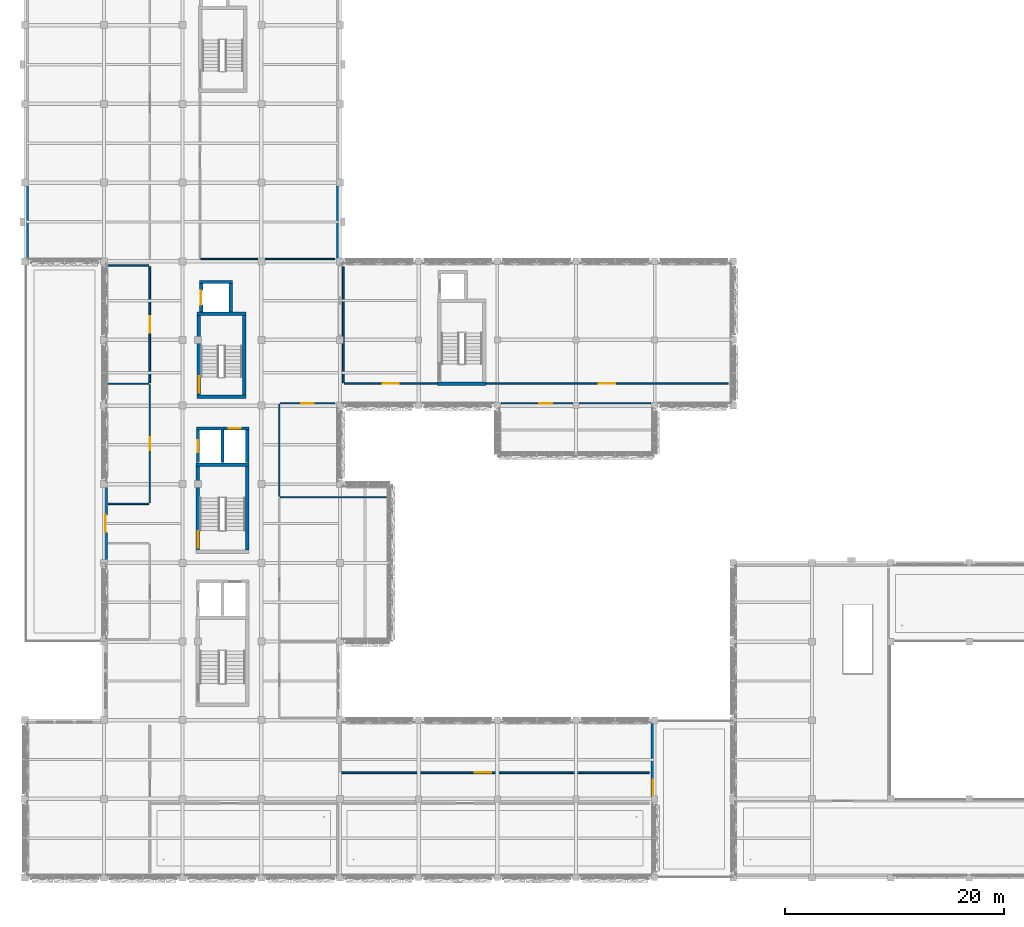
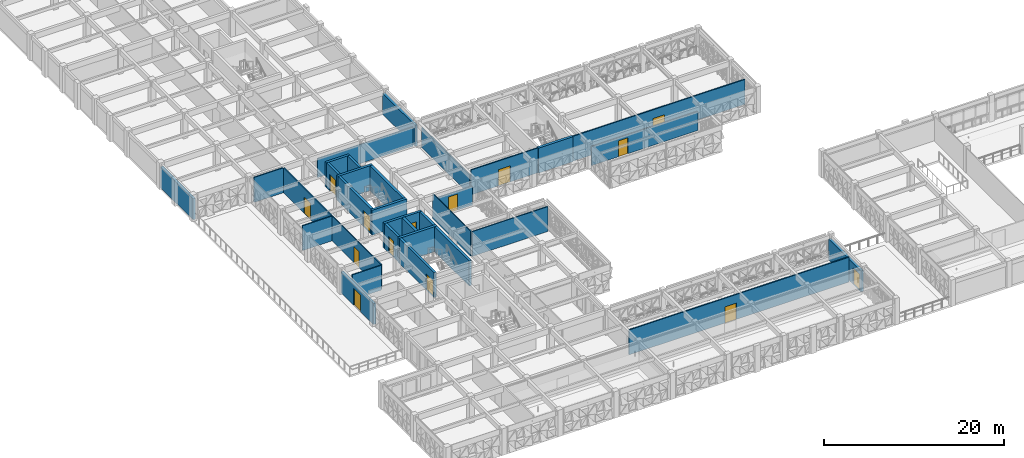
# One storey, part 45 of 85: 34 walls, 14 doors, 14 openings.
"""IFC4 building model written with IfcOpenShell, lengths in metres."""

from ifc_helpers import new_model, si_unit, direction, frame, frame_2d, origin, place, context, subcontext, project, spatial, rectangle, extrude, material, layer, layer_set, type_object, element, fill, save


model = new_model("IFC4")

# Units and contexts
model_context = context("Model", 3, precision=1e-05, world=origin(), true_north=direction((0.0, 1.0)))
body_context = subcontext(model_context, "Body", "Model", "MODEL_VIEW")
ifc_project = project(units=[si_unit("LENGTHUNIT", "METRE"), si_unit("AREAUNIT", "SQUARE_METRE"), si_unit("VOLUMEUNIT", "CUBIC_METRE"), si_unit("PLANEANGLEUNIT", "RADIAN"), si_unit("MASSUNIT", "GRAM", prefix="KILO")], contexts=[model_context])

# Site, building, storey
site_placement = place(None, origin())
site = spatial("IfcSite", under=ifc_project, at=site_placement, CompositionType="ELEMENT")
building_placement = place(site_placement, origin())
building = spatial("IfcBuilding", under=site, at=building_placement, Name="Alvorim Cloister Faculty of Sciences", CompositionType="ELEMENT")
storey_placement = place(building_placement, frame((0.0, 0.0, 8.550048828125)))
storey = spatial("IfcBuildingStorey", under=building, at=storey_placement, Name="L02", CompositionType="ELEMENT", Elevation=8.550048828125)

# Wall, opening, door
ifc_material_1 = material(Name="Precast Concrete C40", Category="concrete")
ifc_layer_1 = layer(ifc_material_1, 0.320068359375)
ifc_layer_set_1 = layer_set([ifc_layer_1], Name="Precast Concrete C40")
wall_type_1 = type_object("IfcWallType", Name="WL-EXT-PC-320", PredefinedType="SOLIDWALL", material=ifc_layer_set_1)
wall_1_placement = place(storey_placement, frame((7.360107421875, 28.800048828125, 0.0), z_axis=(0.0, 0.0, 1.0), x_axis=(0.0, 1.0, 0.0)))
wall_1 = element("IfcWall", 1, at=wall_1_placement, inside=storey, type_object=wall_type_1, Name="L02 Exterior Wall WL-0156", PredefinedType="SOLIDWALL", context=body_context, shape_type="SweptSolid", body=[
    extrude(rectangle(XDim=7.199951171875, YDim=0.320068359375, at=frame_2d((3.60009765625, 0.0))), origin(), (0.0, 0.0, 1.0), 2.83984375),
])
opening_1_placement = place(wall_1_placement, frame((2.800048828125, 0.0, 0.0)))
opening_1 = element("IfcOpeningElement", 2, at=opening_1_placement, cuts=wall_1, Name="Opening TD-01", PredefinedType="OPENING", context=body_context, shape_type="SweptSolid", body=[
    extrude(rectangle(XDim=1.60009765625, YDim=2.25, at=frame_2d((0.800048828125, 1.125))), frame((0.0, 0.171875, 0.0), z_axis=(0.0, -1.0, 0.0), x_axis=(1.0, 0.0, 0.0)), (0.0, 0.0, 1.0), 0.343994140625),
])
ifc_material_2 = material(Name="Aluminium Alloy 6063-T6", Category="aluminium")
door_type_1 = type_object("IfcDoorType", Name="DR-TER-1600x2250", OperationType="NOTDEFINED", PredefinedType="DOOR", material=ifc_material_2)
door_1_placement = place(opening_1_placement, origin())
door_1 = element("IfcDoor", 3, at=door_1_placement, inside=storey, type_object=door_type_1, Name="L02 West Colonnade Stepped Roof Terrace Access Door TD-01", OperationType="DOUBLE_DOOR_SINGLE_SWING", OverallHeight=2.25, OverallWidth=1.60009765625, PredefinedType="DOOR", context=body_context, shape_type="SweptSolid", body=[
    extrude(rectangle(XDim=1.60009765625, YDim=2.25, at=frame_2d((0.800048828125, 1.125))), frame((0.0, 0.02490234375, 0.0), z_axis=(0.0, -1.0, 0.0), x_axis=(1.0, 0.0, 0.0)), (0.0, 0.0, 1.0), 0.050048828125),
])
fill(opening_1, door_1)

# Walls
for number, where, z_axis, x_axis, name in (
    (4, (0.159912109375, 56.39990234375, 0.0), (0.0, 0.0, 1.0), (0.0, 1.0, 0.0), "L02 Exterior Wall WL-0157"),
    (5, (28.639892578125, 56.39990234375, 0.0), (0.0, 0.0, 1.0), (0.0, 1.0, 0.0), "L02 Exterior Wall WL-0176"),
):
    element("IfcWall", number, at=place(storey_placement, frame(where, z_axis=z_axis, x_axis=x_axis)), inside=storey, type_object=wall_type_1, Name=name, PredefinedType="SOLIDWALL", context=body_context, shape_type="SweptSolid", body=[
        extrude(rectangle(XDim=7.2001953125, YDim=0.320068359375, at=frame_2d((3.60009765625, 0.0))), origin(), (0.0, 0.0, 1.0), 2.83984375),
    ])

# Wall, opening, door
wall_2_placement = place(storey_placement, frame((57.43994140625, 7.199951171875, 0.0), z_axis=(0.0, 0.0, 1.0), x_axis=(0.0, 1.0, 0.0)))
wall_2 = element("IfcWall", 6, at=wall_2_placement, inside=storey, type_object=wall_type_1, Name="L02 Exterior Wall WL-0178", PredefinedType="SOLIDWALL", context=body_context, shape_type="SweptSolid", body=[
    extrude(rectangle(XDim=7.199951171875, YDim=0.320068359375, at=frame_2d((3.60009765625, 0.0))), origin(), (0.0, 0.0, 1.0), 2.83984375),
])
opening_2_placement = place(wall_2_placement, frame((0.35009765625, 0.0, 0.0)))
opening_2 = element("IfcOpeningElement", 7, at=opening_2_placement, cuts=wall_2, Name="Opening TD-02", PredefinedType="OPENING", context=body_context, shape_type="SweptSolid", body=[
    extrude(rectangle(XDim=1.39990234375, YDim=2.199951171875, at=frame_2d((0.699951171875, 1.10009765625))), frame((0.0, 0.171875, 0.0), z_axis=(0.0, -1.0, 0.0), x_axis=(1.0, 0.0, 0.0)), (0.0, 0.0, 1.0), 0.343994140625),
])
door_type_2 = type_object("IfcDoorType", Name="DR-TER-1400x2200", OperationType="NOTDEFINED", PredefinedType="DOOR", material=ifc_material_2)
door_2_placement = place(opening_2_placement, origin())
door_2 = element("IfcDoor", 8, at=door_2_placement, inside=storey, type_object=door_type_2, Name="L02 Public Passage Overlook Terrace Access Door TD-02", OperationType="DOUBLE_DOOR_SINGLE_SWING", OverallHeight=2.199951171875, OverallWidth=1.39990234375, PredefinedType="DOOR", context=body_context, shape_type="SweptSolid", body=[
    extrude(rectangle(XDim=1.39990234375, YDim=2.199951171875, at=frame_2d((0.699951171875, 1.10009765625))), frame((0.0, 0.02490234375, 0.0), z_axis=(0.0, -1.0, 0.0), x_axis=(1.0, 0.0, 0.0)), (0.0, 0.0, 1.0), 0.050048828125),
])
fill(opening_2, door_2)

# Wall
ifc_material_3 = material(Name="Acoustic Gypsum Stud Partition", Category="gypsum")
ifc_layer_2 = layer(ifc_material_3, 0.1201171875)
ifc_layer_set_2 = layer_set([ifc_layer_2], Name="Acoustic Gypsum Stud Partition")
wall_type_2 = type_object("IfcWallType", Name="WL-PRT-120", PredefinedType="PARTITIONING", material=ifc_layer_set_2)
wall_3_placement = place(storey_placement, frame((7.580078125, 34.199951171875, 0.0), z_axis=(0.0, 0.0, 1.0), x_axis=(1.0, 0.0, 0.0)))
element("IfcWall", 9, at=wall_3_placement, inside=storey, type_object=wall_type_2, Name="L02 Molecular Simulation Computing Lab Partition IWL-0548", PredefinedType="PARTITIONING", context=body_context, shape_type="SweptSolid", body=[
    extrude(rectangle(XDim=3.739990234375, YDim=0.1201171875, at=frame_2d((1.8701171875, 0.0))), origin(), (0.0, 0.0, 1.0), 3.375),
])

# Wall, opening, door
wall_4_placement = place(storey_placement, frame((11.39990234375, 34.280029296875, 0.0), z_axis=(0.0, 0.0, 1.0), x_axis=(0.0, 1.0, 0.0)))
wall_4 = element("IfcWall", 10, at=wall_4_placement, inside=storey, type_object=wall_type_2, Name="L02 Molecular Simulation Computing Lab Partition IWL-0549", PredefinedType="PARTITIONING", context=body_context, shape_type="SweptSolid", body=[
    extrude(rectangle(XDim=10.840087890625, YDim=0.1201171875, at=frame_2d((5.419921875, 0.0))), origin(), (0.0, 0.0, 1.0), 3.375),
])
opening_3_placement = place(wall_4_placement, frame((4.820068359375, 0.0, 0.0)))
opening_3 = element("IfcOpeningElement", 11, at=opening_3_placement, cuts=wall_4, Name="Opening D-L02-126", PredefinedType="OPENING", context=body_context, shape_type="SweptSolid", body=[
    extrude(rectangle(XDim=1.199951171875, YDim=2.14990234375, at=frame_2d((0.60009765625, 1.074951171875))), frame((0.0, 0.072021484375, 0.0), z_axis=(0.0, -1.0, 0.0), x_axis=(1.0, 0.0, 0.0)), (0.0, 0.0, 1.0), 0.14404296875),
])
ifc_material_4 = material(Name="Solid Acoustic Oak Timber", Category="wood")
door_type_3 = type_object("IfcDoorType", Name="DR-SEM-1200x2150", OperationType="NOTDEFINED", PredefinedType="DOOR", material=ifc_material_4)
door_3_placement = place(opening_3_placement, origin())
door_3 = element("IfcDoor", 12, at=door_3_placement, inside=storey, type_object=door_type_3, Name="Molecular Simulation Computing Lab Door D-L02-126", OperationType="SINGLE_SWING_LEFT", OverallHeight=2.14990234375, OverallWidth=1.199951171875, PredefinedType="DOOR", context=body_context, shape_type="SweptSolid", body=[
    extrude(rectangle(XDim=1.199951171875, YDim=2.14990234375, at=frame_2d((0.60009765625, 1.074951171875))), frame((0.0, 0.02490234375, 0.0), z_axis=(0.0, -1.0, 0.0), x_axis=(1.0, 0.0, 0.0)), (0.0, 0.0, 1.0), 0.050048828125),
])
fill(opening_3, door_3)

# Walls
wall_5_placement = place(storey_placement, frame((7.580078125, 45.199951171875, 0.0), z_axis=(0.0, 0.0, 1.0), x_axis=(1.0, 0.0, 0.0)))
element("IfcWall", 13, at=wall_5_placement, inside=storey, type_object=wall_type_2, Name="L02 Molecular Simulation Computing Lab Partition IWL-0550", PredefinedType="PARTITIONING", context=body_context, shape_type="SweptSolid", body=[
    extrude(rectangle(XDim=3.739990234375, YDim=0.1201171875, at=frame_2d((1.8701171875, 0.0))), origin(), (0.0, 0.0, 1.0), 3.375),
])
wall_6_placement = place(storey_placement, frame((23.330078125, 34.800048828125, 0.0), z_axis=(0.0, 0.0, 1.0), x_axis=(1.0, 0.0, 0.0)))
element("IfcWall", 14, at=wall_6_placement, inside=storey, type_object=wall_type_2, Name="L02 Cantilevered Cloister Overlook Salon Partition IWL-0557", PredefinedType="PARTITIONING", context=body_context, shape_type="SweptSolid", body=[
    extrude(rectangle(XDim=9.68994140625, YDim=0.1201171875, at=frame_2d((4.844970703125, 0.0))), origin(), (0.0, 0.0, 1.0), 3.375),
])
wall_7_placement = place(storey_placement, frame((23.25, 34.8798828125, 0.0), z_axis=(0.0, 0.0, 1.0), x_axis=(0.0, 1.0, 0.0)))
element("IfcWall", 15, at=wall_7_placement, inside=storey, type_object=wall_type_2, Name="L02 Chemistry Faculty Offices Partition IWL-0558", PredefinedType="PARTITIONING", context=body_context, shape_type="SweptSolid", body=[
    extrude(rectangle(XDim=8.440185546875, YDim=0.1201171875, at=frame_2d((4.22021484375, 0.0))), origin(), (0.0, 0.0, 1.0), 3.375),
])

# Wall, opening, door
wall_8_placement = place(storey_placement, frame((23.330078125, 43.39990234375, 0.0), z_axis=(0.0, 0.0, 1.0), x_axis=(1.0, 0.0, 0.0)))
wall_8 = element("IfcWall", 16, at=wall_8_placement, inside=storey, type_object=wall_type_2, Name="L02 Chemistry Faculty Offices Partition IWL-0559", PredefinedType="PARTITIONING", context=body_context, shape_type="SweptSolid", body=[
    extrude(rectangle(XDim=4.989990234375, YDim=0.1201171875, at=frame_2d((2.4951171875, 0.0))), origin(), (0.0, 0.0, 1.0), 2.594970703125),
])
opening_4_placement = place(wall_8_placement, frame((1.919921875, 0.0, 0.0)))
opening_4 = element("IfcOpeningElement", 17, at=opening_4_placement, cuts=wall_8, Name="Opening D-L02-130", PredefinedType="OPENING", context=body_context, shape_type="SweptSolid", body=[
    extrude(rectangle(XDim=1.14990234375, YDim=2.179931640625, at=frame_2d((0.574951171875, 1.08984375))), frame((0.0, 0.072021484375, 0.0), z_axis=(0.0, -1.0, 0.0), x_axis=(1.0, 0.0, 0.0)), (0.0, 0.0, 1.0), 0.14404296875),
])
door_type_4 = type_object("IfcDoorType", Name="DR-OFF-1150x2180", OperationType="NOTDEFINED", PredefinedType="DOOR", material=ifc_material_4)
door_4_placement = place(opening_4_placement, origin())
door_4 = element("IfcDoor", 18, at=door_4_placement, inside=storey, type_object=door_type_4, Name="Chemistry Faculty Offices Door D-L02-130", OperationType="SINGLE_SWING_RIGHT", OverallHeight=2.179931640625, OverallWidth=1.14990234375, PredefinedType="DOOR", context=body_context, shape_type="SweptSolid", body=[
    extrude(rectangle(XDim=1.14990234375, YDim=2.179931640625, at=frame_2d((0.574951171875, 1.08984375))), frame((0.0, 0.02490234375, 0.0), z_axis=(0.0, -1.0, 0.0), x_axis=(1.0, 0.0, 0.0)), (0.0, 0.0, 1.0), 0.050048828125),
])
fill(opening_4, door_4)

wall_9_placement = place(storey_placement, frame((43.580078125, 43.39990234375, 0.0), z_axis=(0.0, 0.0, 1.0), x_axis=(1.0, 0.0, 0.0)))
wall_9 = element("IfcWall", 19, at=wall_9_placement, inside=storey, type_object=wall_type_2, Name="L02 Cantilevered Cloister Research Gallery Partition IWL-0563", PredefinedType="PARTITIONING", context=body_context, shape_type="SweptSolid", body=[
    extrude(rectangle(XDim=13.639892578125, YDim=0.1201171875, at=frame_2d((6.81982421875, 0.0))), origin(), (0.0, 0.0, 1.0), 2.594970703125),
])
opening_5_placement = place(wall_9_placement, frame((3.469970703125, 0.0, 0.0)))
opening_5 = element("IfcOpeningElement", 20, at=opening_5_placement, cuts=wall_9, Name="Opening D-L02-133", PredefinedType="OPENING", context=body_context, shape_type="SweptSolid", body=[
    extrude(rectangle(XDim=1.199951171875, YDim=2.14990234375, at=frame_2d((0.60009765625, 1.074951171875))), frame((0.0, 0.072021484375, 0.0), z_axis=(0.0, -1.0, 0.0), x_axis=(1.0, 0.0, 0.0)), (0.0, 0.0, 1.0), 0.14404296875),
])
door_5_placement = place(opening_5_placement, origin())
door_5 = element("IfcDoor", 21, at=door_5_placement, inside=storey, type_object=door_type_3, Name="Cantilevered Cloister Research Gallery Door D-L02-133", OperationType="SINGLE_SWING_LEFT", OverallHeight=2.14990234375, OverallWidth=1.199951171875, PredefinedType="DOOR", context=body_context, shape_type="SweptSolid", body=[
    extrude(rectangle(XDim=1.199951171875, YDim=2.14990234375, at=frame_2d((0.60009765625, 1.074951171875))), frame((0.0, 0.02490234375, 0.0), z_axis=(0.0, -1.0, 0.0), x_axis=(1.0, 0.0, 0.0)), (0.0, 0.0, 1.0), 0.050048828125),
])
fill(opening_5, door_5)

# Wall
wall_10_placement = place(storey_placement, frame((16.080078125, 56.60009765625, 0.0), z_axis=(0.0, 0.0, 1.0), x_axis=(1.0, 0.0, 0.0)))
element("IfcWall", 22, at=wall_10_placement, inside=storey, type_object=wall_type_2, Name="L02 Data Visualization Lab Partition IWL-0568", PredefinedType="PARTITIONING", context=body_context, shape_type="SweptSolid", body=[
    extrude(rectangle(XDim=12.239990234375, YDim=0.1201171875, at=frame_2d((6.1201171875, 0.0))), origin(), (0.0, 0.0, 1.0), 2.594970703125),
])

# Wall, opening, door
ifc_material_5 = material(Name="Gypsum Fireboard Stud Partition", Category="gypsum")
ifc_layer_3 = layer(ifc_material_5, 0.14990234375)
ifc_layer_set_3 = layer_set([ifc_layer_3], Name="Gypsum Fireboard Stud Partition")
wall_type_3 = type_object("IfcWallType", Name="WL-PRT-150", PredefinedType="PARTITIONING", material=ifc_layer_set_3)
wall_11_placement = place(storey_placement, frame((28.8798828125, 9.60009765625, 0.0), z_axis=(0.0, 0.0, 1.0), x_axis=(1.0, 0.0, 0.0)))
wall_11 = element("IfcWall", 23, at=wall_11_placement, inside=storey, type_object=wall_type_3, Name="L02 Physical Chemistry Teaching Lab Partition IWL-0544", PredefinedType="PARTITIONING", context=body_context, shape_type="SweptSolid", body=[
    extrude(rectangle(XDim=28.240234375, YDim=0.14990234375, at=frame_2d((14.1201171875, 0.0))), origin(), (0.0, 0.0, 1.0), 3.375),
])
opening_6_placement = place(wall_11_placement, frame((12.274169921875, 0.0, 0.0)))
opening_6 = element("IfcOpeningElement", 24, at=opening_6_placement, cuts=wall_11, Name="Opening D-L02-124", PredefinedType="OPENING", context=body_context, shape_type="SweptSolid", body=[
    extrude(rectangle(XDim=1.5, YDim=2.199951171875, at=frame_2d((0.75, 1.10009765625))), frame((0.0, 0.0869140625, 0.0), z_axis=(0.0, -1.0, 0.0), x_axis=(1.0, 0.0, 0.0)), (0.0, 0.0, 1.0), 0.173828125),
])
ifc_material_6 = material(Name="Fire-Rated Laminate Timber", Category="wood")
door_type_5 = type_object("IfcDoorType", Name="DR-LAB-1500x2200", OperationType="NOTDEFINED", PredefinedType="DOOR", material=ifc_material_6)
door_6_placement = place(opening_6_placement, origin())
door_6 = element("IfcDoor", 25, at=door_6_placement, inside=storey, type_object=door_type_5, Name="Physical Chemistry Teaching Lab Door D-L02-124", OperationType="DOUBLE_DOOR_SINGLE_SWING", OverallHeight=2.199951171875, OverallWidth=1.5, PredefinedType="DOOR", context=body_context, shape_type="SweptSolid", body=[
    extrude(rectangle(XDim=1.5, YDim=2.199951171875, at=frame_2d((0.75, 1.10009765625))), frame((0.0, 0.02490234375, 0.0), z_axis=(0.0, -1.0, 0.0), x_axis=(1.0, 0.0, 0.0)), (0.0, 0.0, 1.0), 0.050048828125),
])
fill(opening_6, door_6)

wall_12_placement = place(storey_placement, frame((11.39990234375, 45.280029296875, 0.0), z_axis=(0.0, 0.0, 1.0), x_axis=(0.0, 1.0, 0.0)))
wall_12 = element("IfcWall", 26, at=wall_12_placement, inside=storey, type_object=wall_type_3, Name="L02 Electrochemistry Research Lab Partition IWL-0551", PredefinedType="PARTITIONING", context=body_context, shape_type="SweptSolid", body=[
    extrude(rectangle(XDim=10.639892578125, YDim=0.14990234375, at=frame_2d((5.31982421875, 0.0))), origin(), (0.0, 0.0, 1.0), 3.375),
])
opening_7_placement = place(wall_12_placement, frame((4.570068359375, 0.0, 0.0)))
opening_7 = element("IfcOpeningElement", 27, at=opening_7_placement, cuts=wall_12, Name="Opening D-L02-127", PredefinedType="OPENING", context=body_context, shape_type="SweptSolid", body=[
    extrude(rectangle(XDim=1.5, YDim=2.199951171875, at=frame_2d((0.75, 1.10009765625))), frame((0.0, 0.0869140625, 0.0), z_axis=(0.0, -1.0, 0.0), x_axis=(1.0, 0.0, 0.0)), (0.0, 0.0, 1.0), 0.173828125),
])
door_7_placement = place(opening_7_placement, origin())
door_7 = element("IfcDoor", 28, at=door_7_placement, inside=storey, type_object=door_type_5, Name="Electrochemistry Research Lab Door D-L02-127", OperationType="DOUBLE_DOOR_SINGLE_SWING", OverallHeight=2.199951171875, OverallWidth=1.5, PredefinedType="DOOR", context=body_context, shape_type="SweptSolid", body=[
    extrude(rectangle(XDim=1.5, YDim=2.199951171875, at=frame_2d((0.75, 1.10009765625))), frame((0.0, 0.02490234375, 0.0), z_axis=(0.0, -1.0, 0.0), x_axis=(1.0, 0.0, 0.0)), (0.0, 0.0, 1.0), 0.050048828125),
])
fill(opening_7, door_7)

# Walls
wall_13_placement = place(storey_placement, frame((7.580078125, 56.0, 0.0), z_axis=(0.0, 0.0, 1.0), x_axis=(1.0, 0.0, 0.0)))
element("IfcWall", 29, at=wall_13_placement, inside=storey, type_object=wall_type_3, Name="L02 Electrochemistry Research Lab Partition IWL-0552", PredefinedType="PARTITIONING", context=body_context, shape_type="SweptSolid", body=[
    extrude(rectangle(XDim=3.739990234375, YDim=0.14990234375, at=frame_2d((1.8701171875, 0.0))), origin(), (0.0, 0.0, 1.0), 3.375),
])
wall_14_placement = place(storey_placement, frame((29.10009765625, 45.280029296875, 0.0), z_axis=(0.0, 0.0, 1.0), x_axis=(0.0, 1.0, 0.0)))
element("IfcWall", 30, at=wall_14_placement, inside=storey, type_object=wall_type_3, Name="L02 Microbiology BSL-2 Laboratory Partition IWL-0560", PredefinedType="PARTITIONING", context=body_context, shape_type="SweptSolid", body=[
    extrude(rectangle(XDim=10.639892578125, YDim=0.14990234375, at=frame_2d((5.31982421875, 0.0))), origin(), (0.0, 0.0, 1.0), 2.655029296875),
])

# Wall, opening, door
wall_15_placement = place(storey_placement, frame((29.179931640625, 45.199951171875, 0.0), z_axis=(0.0, 0.0, 1.0), x_axis=(1.0, 0.0, 0.0)))
wall_15 = element("IfcWall", 31, at=wall_15_placement, inside=storey, type_object=wall_type_3, Name="L02 Microbiology BSL-2 Laboratory Partition IWL-0561", PredefinedType="PARTITIONING", context=body_context, shape_type="SweptSolid", body=[
    extrude(rectangle(XDim=8.5400390625, YDim=0.14990234375, at=frame_2d((4.27001953125, 0.0))), origin(), (0.0, 0.0, 1.0), 3.375),
])
opening_8_placement = place(wall_15_placement, frame((3.52001953125, 0.0, 0.0)))
opening_8 = element("IfcOpeningElement", 32, at=opening_8_placement, cuts=wall_15, Name="Opening D-L02-131", PredefinedType="OPENING", context=body_context, shape_type="SweptSolid", body=[
    extrude(rectangle(XDim=1.5, YDim=2.199951171875, at=frame_2d((0.75, 1.10009765625))), frame((0.0, 0.0869140625, 0.0), z_axis=(0.0, -1.0, 0.0), x_axis=(1.0, 0.0, 0.0)), (0.0, 0.0, 1.0), 0.173828125),
])
door_8_placement = place(opening_8_placement, origin())
door_8 = element("IfcDoor", 33, at=door_8_placement, inside=storey, type_object=door_type_5, Name="Microbiology BSL-2 Laboratory Door D-L02-131", OperationType="DOUBLE_DOOR_SINGLE_SWING", OverallHeight=2.199951171875, OverallWidth=1.5, PredefinedType="DOOR", context=body_context, shape_type="SweptSolid", body=[
    extrude(rectangle(XDim=1.5, YDim=2.199951171875, at=frame_2d((0.75, 1.10009765625))), frame((0.0, 0.02490234375, 0.0), z_axis=(0.0, -1.0, 0.0), x_axis=(1.0, 0.0, 0.0)), (0.0, 0.0, 1.0), 0.050048828125),
])
fill(opening_8, door_8)

wall_16_placement = place(storey_placement, frame((42.179931640625, 45.199951171875, 0.0), z_axis=(0.0, 0.0, 1.0), x_axis=(1.0, 0.0, 0.0)))
wall_16 = element("IfcWall", 34, at=wall_16_placement, inside=storey, type_object=wall_type_3, Name="L02 Cell Culture and Imaging Laboratory Partition IWL-0562", PredefinedType="PARTITIONING", context=body_context, shape_type="SweptSolid", body=[
    extrude(rectangle(XDim=22.14013671875, YDim=0.14990234375, at=frame_2d((11.070068359375, 0.0))), origin(), (0.0, 0.0, 1.0), 3.375),
])
opening_9_placement = place(wall_16_placement, frame((10.320068359375, 0.0, 0.0)))
opening_9 = element("IfcOpeningElement", 35, at=opening_9_placement, cuts=wall_16, Name="Opening D-L02-132", PredefinedType="OPENING", context=body_context, shape_type="SweptSolid", body=[
    extrude(rectangle(XDim=1.5, YDim=2.199951171875, at=frame_2d((0.75, 1.10009765625))), frame((0.0, 0.0869140625, 0.0), z_axis=(0.0, -1.0, 0.0), x_axis=(1.0, 0.0, 0.0)), (0.0, 0.0, 1.0), 0.173828125),
])
door_9_placement = place(opening_9_placement, origin())
door_9 = element("IfcDoor", 36, at=door_9_placement, inside=storey, type_object=door_type_5, Name="Cell Culture and Imaging Laboratory Door D-L02-132", OperationType="DOUBLE_DOOR_SINGLE_SWING", OverallHeight=2.199951171875, OverallWidth=1.5, PredefinedType="DOOR", context=body_context, shape_type="SweptSolid", body=[
    extrude(rectangle(XDim=1.5, YDim=2.199951171875, at=frame_2d((0.75, 1.10009765625))), frame((0.0, 0.02490234375, 0.0), z_axis=(0.0, -1.0, 0.0), x_axis=(1.0, 0.0, 0.0)), (0.0, 0.0, 1.0), 0.050048828125),
])
fill(opening_9, door_9)

# Wall
ifc_material_7 = material(Name="Concrete C40", Category="concrete")
ifc_layer_4 = layer(ifc_material_7, 0.300048828125)
ifc_layer_set_4 = layer_set([ifc_layer_4], Name="Concrete C40")
wall_type_4 = type_object("IfcWallType", Name="WL-SHR-300", PredefinedType="SHEAR", material=ifc_layer_set_4)
wall_17_placement = place(storey_placement, frame((15.64990234375, 41.10009765625, 0.0), z_axis=(0.0, 0.0, 1.0), x_axis=(1.0, 0.0, 0.0)))
element("IfcWall", 37, at=wall_17_placement, inside=storey, type_object=wall_type_4, Name="L02 Lift LP-02 Shaft Wall IWL-0297", PredefinedType="SHEAR", context=body_context, shape_type="SweptSolid", body=[
    extrude(rectangle(XDim=2.56005859375, YDim=0.300048828125, at=frame_2d((1.280029296875, 0.0))), origin(), (0.0, 0.0, 1.0), 3.389892578125),
])

# Wall, opening, door
wall_18_placement = place(storey_placement, frame((15.800048828125, 37.97998046875, 0.0), z_axis=(0.0, 0.0, 1.0), x_axis=(0.0, 1.0, 0.0)))
wall_18 = element("IfcWall", 38, at=wall_18_placement, inside=storey, type_object=wall_type_4, Name="L02 Lift LP-02 Shaft Wall IWL-0298", PredefinedType="SHEAR", context=body_context, shape_type="SweptSolid", body=[
    extrude(rectangle(XDim=2.969970703125, YDim=0.300048828125, at=frame_2d((1.48486328125, 0.0))), origin(), (0.0, 0.0, 1.0), 3.389892578125),
])
opening_10_placement = place(wall_18_placement, frame((0.93505859375, 0.0, 0.0)))
opening_10 = element("IfcOpeningElement", 39, at=opening_10_placement, cuts=wall_18, Name="Opening LD-026", PredefinedType="OPENING", context=body_context, shape_type="SweptSolid", body=[
    extrude(rectangle(XDim=1.10009765625, YDim=2.199951171875, at=frame_2d((0.550048828125, 1.10009765625))), frame((0.0, 0.162109375, 0.0), z_axis=(0.0, -1.0, 0.0), x_axis=(1.0, 0.0, 0.0)), (0.0, 0.0, 1.0), 0.323974609375),
])
ifc_material_8 = material(Name="Brushed Stainless Steel", Category="steel")
door_type_6 = type_object("IfcDoorType", Name="DR-LFT-1100x2200", OperationType="NOTDEFINED", PredefinedType="DOOR", material=ifc_material_8)
door_10_placement = place(opening_10_placement, origin())
door_10 = element("IfcDoor", 40, at=door_10_placement, inside=storey, type_object=door_type_6, Name="L02 Lift LP-02 Sliding Landing Door LD-026", OperationType="DOUBLE_DOOR_SLIDING", OverallHeight=2.199951171875, OverallWidth=1.10009765625, PredefinedType="DOOR", context=body_context, shape_type="SweptSolid", body=[
    extrude(rectangle(XDim=1.10009765625, YDim=2.199951171875, at=frame_2d((0.550048828125, 1.10009765625))), frame((0.0, 0.02490234375, 0.0), z_axis=(0.0, -1.0, 0.0), x_axis=(1.0, 0.0, 0.0)), (0.0, 0.0, 1.0), 0.050048828125),
])
fill(opening_10, door_10)

# Wall
wall_19_placement = place(storey_placement, frame((18.06005859375, 37.97998046875, 0.0), z_axis=(0.0, 0.0, 1.0), x_axis=(0.0, 1.0, 0.0)))
element("IfcWall", 41, at=wall_19_placement, inside=storey, type_object=wall_type_4, Name="L02 Lift LP-02 Shaft Wall IWL-0299", PredefinedType="SHEAR", context=body_context, shape_type="SweptSolid", body=[
    extrude(rectangle(XDim=2.969970703125, YDim=0.300048828125, at=frame_2d((1.48486328125, 0.0))), origin(), (0.0, 0.0, 1.0), 3.389892578125),
])

# Wall, opening, door
wall_20_placement = place(storey_placement, frame((17.909912109375, 41.10009765625, 0.0), z_axis=(0.0, 0.0, 1.0), x_axis=(1.0, 0.0, 0.0)))
wall_20 = element("IfcWall", 42, at=wall_20_placement, inside=storey, type_object=wall_type_4, Name="L02 Lift LP-03 Shaft Wall IWL-0324", PredefinedType="SHEAR", context=body_context, shape_type="SweptSolid", body=[
    extrude(rectangle(XDim=2.56005859375, YDim=0.300048828125, at=frame_2d((1.280029296875, 0.0))), origin(), (0.0, 0.0, 1.0), 3.389892578125),
])
opening_11_placement = place(wall_20_placement, frame((0.72998046875, 0.0, 0.0)))
opening_11 = element("IfcOpeningElement", 43, at=opening_11_placement, cuts=wall_20, Name="Opening LD-036", PredefinedType="OPENING", context=body_context, shape_type="SweptSolid", body=[
    extrude(rectangle(XDim=1.10009765625, YDim=2.199951171875, at=frame_2d((0.550048828125, 1.10009765625))), frame((0.0, 0.162109375, 0.0), z_axis=(0.0, -1.0, 0.0), x_axis=(1.0, 0.0, 0.0)), (0.0, 0.0, 1.0), 0.323974609375),
])
door_11_placement = place(opening_11_placement, origin())
door_11 = element("IfcDoor", 44, at=door_11_placement, inside=storey, type_object=door_type_6, Name="L02 Lift LP-03 Sliding Landing Door LD-036", OperationType="DOUBLE_DOOR_SLIDING", OverallHeight=2.199951171875, OverallWidth=1.10009765625, PredefinedType="DOOR", context=body_context, shape_type="SweptSolid", body=[
    extrude(rectangle(XDim=1.10009765625, YDim=2.199951171875, at=frame_2d((0.550048828125, 1.10009765625))), frame((0.0, 0.02490234375, 0.0), z_axis=(0.0, -1.0, 0.0), x_axis=(1.0, 0.0, 0.0)), (0.0, 0.0, 1.0), 0.050048828125),
])
fill(opening_11, door_11)

# Walls
wall_21_placement = place(storey_placement, frame((20.320068359375, 37.97998046875, 0.0), z_axis=(0.0, 0.0, 1.0), x_axis=(0.0, 1.0, 0.0)))
element("IfcWall", 45, at=wall_21_placement, inside=storey, type_object=wall_type_4, Name="L02 Lift LP-03 Shaft Wall IWL-0325", PredefinedType="SHEAR", context=body_context, shape_type="SweptSolid", body=[
    extrude(rectangle(XDim=2.969970703125, YDim=0.300048828125, at=frame_2d((1.48486328125, 0.0))), origin(), (0.0, 0.0, 1.0), 3.389892578125),
])
wall_22_placement = place(storey_placement, frame((15.949951171875, 54.5, 0.0), z_axis=(0.0, 0.0, 1.0), x_axis=(1.0, 0.0, 0.0)))
element("IfcWall", 46, at=wall_22_placement, inside=storey, type_object=wall_type_4, Name="L02 Lift LG-01 Shaft Wall IWL-0389", PredefinedType="SHEAR", context=body_context, shape_type="SweptSolid", body=[
    extrude(rectangle(XDim=3.0, YDim=0.300048828125, at=frame_2d((1.5, 0.0))), origin(), (0.0, 0.0, 1.0), 3.389892578125),
])

# Wall, opening, door
wall_23_placement = place(storey_placement, frame((16.10009765625, 51.780029296875, 0.0), z_axis=(0.0, 0.0, 1.0), x_axis=(0.0, 1.0, 0.0)))
wall_23 = element("IfcWall", 47, at=wall_23_placement, inside=storey, type_object=wall_type_4, Name="L02 Lift LG-01 Shaft Wall IWL-0390", PredefinedType="SHEAR", context=body_context, shape_type="SweptSolid", body=[
    extrude(rectangle(XDim=2.570068359375, YDim=0.300048828125, at=frame_2d((1.28515625, 0.0))), origin(), (0.0, 0.0, 1.0), 3.389892578125),
])
opening_12_placement = place(wall_23_placement, frame((0.635009765625, 0.0, 0.0)))
opening_12 = element("IfcOpeningElement", 48, at=opening_12_placement, cuts=wall_23, Name="Opening LD-060", PredefinedType="OPENING", context=body_context, shape_type="SweptSolid", body=[
    extrude(rectangle(XDim=1.300048828125, YDim=2.25, at=frame_2d((0.64990234375, 1.125))), frame((0.0, 0.162109375, 0.0), z_axis=(0.0, -1.0, 0.0), x_axis=(1.0, 0.0, 0.0)), (0.0, 0.0, 1.0), 0.323974609375),
])
door_type_7 = type_object("IfcDoorType", Name="DR-LFT-1300x2250", OperationType="NOTDEFINED", PredefinedType="DOOR", material=ifc_material_8)
door_12_placement = place(opening_12_placement, origin())
door_12 = element("IfcDoor", 49, at=door_12_placement, inside=storey, type_object=door_type_7, Name="L02 Lift LG-01 Sliding Landing Door LD-060", OperationType="DOUBLE_DOOR_SLIDING", OverallHeight=2.25, OverallWidth=1.300048828125, PredefinedType="DOOR", context=body_context, shape_type="SweptSolid", body=[
    extrude(rectangle(XDim=1.300048828125, YDim=2.25, at=frame_2d((0.64990234375, 1.125))), frame((0.0, 0.02490234375, 0.0), z_axis=(0.0, -1.0, 0.0), x_axis=(1.0, 0.0, 0.0)), (0.0, 0.0, 1.0), 0.050048828125),
])
fill(opening_12, door_12)

# Walls
wall_24_placement = place(storey_placement, frame((18.800048828125, 51.780029296875, 0.0), z_axis=(0.0, 0.0, 1.0), x_axis=(0.0, 1.0, 0.0)))
element("IfcWall", 50, at=wall_24_placement, inside=storey, type_object=wall_type_4, Name="L02 Lift LG-01 Shaft Wall IWL-0391", PredefinedType="SHEAR", context=body_context, shape_type="SweptSolid", body=[
    extrude(rectangle(XDim=2.570068359375, YDim=0.300048828125, at=frame_2d((1.28515625, 0.0))), origin(), (0.0, 0.0, 1.0), 3.389892578125),
])
ifc_layer_5 = layer(ifc_material_7, 0.320068359375)
ifc_layer_set_5 = layer_set([ifc_layer_5], Name="Concrete C40")
wall_type_5 = type_object("IfcWallType", Name="WL-SHR-320", PredefinedType="SHEAR", material=ifc_layer_set_5)
wall_25_placement = place(storey_placement, frame((15.639892578125, 37.800048828125, 0.0), z_axis=(0.0, 0.0, 1.0), x_axis=(1.0, 0.0, 0.0)))
element("IfcWall", 51, at=wall_25_placement, inside=storey, type_object=wall_type_5, Name="L02 CORE K2 Shear Wall IWL-0058", PredefinedType="SHEAR", context=body_context, shape_type="SweptSolid", body=[
    extrude(rectangle(XDim=4.840087890625, YDim=0.320068359375, at=frame_2d((2.419921875, 0.0))), origin(), (0.0, 0.0, 1.0), 3.389892578125),
])

# Wall, opening, door
wall_26_placement = place(storey_placement, frame((15.800048828125, 29.9599609375, 0.0), z_axis=(0.0, 0.0, 1.0), x_axis=(0.0, 1.0, 0.0)))
wall_26 = element("IfcWall", 52, at=wall_26_placement, inside=storey, type_object=wall_type_5, Name="L02 CORE K2 Shear Wall IWL-0059", PredefinedType="SHEAR", context=body_context, shape_type="SweptSolid", body=[
    extrude(rectangle(XDim=7.679931640625, YDim=0.320068359375, at=frame_2d((3.83984375, 0.0))), origin(), (0.0, 0.0, 1.0), 3.389892578125),
])
opening_13_placement = place(wall_26_placement, frame((0.219970703125, 0.0, 0.0)))
opening_13 = element("IfcOpeningElement", 53, at=opening_13_placement, cuts=wall_26, Name="Opening SD-K2-L02", PredefinedType="OPENING", context=body_context, shape_type="SweptSolid", body=[
    extrude(rectangle(XDim=1.5, YDim=2.199951171875, at=frame_2d((0.75, 1.10009765625))), frame((0.0, 0.171875, 0.0), z_axis=(0.0, -1.0, 0.0), x_axis=(1.0, 0.0, 0.0)), (0.0, 0.0, 1.0), 0.343994140625),
])
ifc_material_9 = material(Name="Galvanised Fire-Rated Steel", Category="steel")
door_type_8 = type_object("IfcDoorType", Name="DR-STR-1500x2200", OperationType="NOTDEFINED", PredefinedType="DOOR", material=ifc_material_9)
door_13_placement = place(opening_13_placement, origin())
door_13 = element("IfcDoor", 54, at=door_13_placement, inside=storey, type_object=door_type_8, Name="L02 Stair ST-02 Fire Door SD-K2-L02", OperationType="DOUBLE_DOOR_SINGLE_SWING", OverallHeight=2.199951171875, OverallWidth=1.5, PredefinedType="DOOR", context=body_context, shape_type="SweptSolid", body=[
    extrude(rectangle(XDim=1.5, YDim=2.199951171875, at=frame_2d((0.75, 1.10009765625))), frame((0.0, 0.02490234375, 0.0), z_axis=(0.0, -1.0, 0.0), x_axis=(1.0, 0.0, 0.0)), (0.0, 0.0, 1.0), 0.050048828125),
])
fill(opening_13, door_13)

# Walls
wall_27_placement = place(storey_placement, frame((20.320068359375, 29.9599609375, 0.0), z_axis=(0.0, 0.0, 1.0), x_axis=(0.0, 1.0, 0.0)))
element("IfcWall", 55, at=wall_27_placement, inside=storey, type_object=wall_type_5, Name="L02 CORE K2 Shear Wall IWL-0060", PredefinedType="SHEAR", context=body_context, shape_type="SweptSolid", body=[
    extrude(rectangle(XDim=7.679931640625, YDim=0.320068359375, at=frame_2d((3.83984375, 0.0))), origin(), (0.0, 0.0, 1.0), 3.389892578125),
])
for number, where, z_axis, x_axis, name in (
    (56, (15.739990234375, 44.0, 0.0), (0.0, 0.0, 1.0), (1.0, 0.0, 0.0), "L02 CORE K3 Shear Wall IWL-0101"),
    (57, (15.739990234375, 51.60009765625, 0.0), (0.0, 0.0, 1.0), (1.0, 0.0, 0.0), "L02 CORE K3 Shear Wall IWL-0102"),
):
    element("IfcWall", number, at=place(storey_placement, frame(where, z_axis=z_axis, x_axis=x_axis)), inside=storey, type_object=wall_type_5, Name=name, PredefinedType="SHEAR", context=body_context, shape_type="SweptSolid", body=[
        extrude(rectangle(XDim=4.43994140625, YDim=0.320068359375, at=frame_2d((2.219970703125, 0.0))), origin(), (0.0, 0.0, 1.0), 3.389892578125),
    ])

# Wall, opening, door
wall_28_placement = place(storey_placement, frame((15.89990234375, 44.159912109375, 0.0), z_axis=(0.0, 0.0, 1.0), x_axis=(0.0, 1.0, 0.0)))
wall_28 = element("IfcWall", 58, at=wall_28_placement, inside=storey, type_object=wall_type_5, Name="L02 CORE K3 Shear Wall IWL-0103", PredefinedType="SHEAR", context=body_context, shape_type="SweptSolid", body=[
    extrude(rectangle(XDim=7.280029296875, YDim=0.320068359375, at=frame_2d((3.64013671875, 0.0))), origin(), (0.0, 0.0, 1.0), 3.389892578125),
])
opening_14_placement = place(wall_28_placement, frame((0.219970703125, 0.0, 0.0)))
opening_14 = element("IfcOpeningElement", 59, at=opening_14_placement, cuts=wall_28, Name="Opening SD-K3-L02", PredefinedType="OPENING", context=body_context, shape_type="SweptSolid", body=[
    extrude(rectangle(XDim=1.5, YDim=2.199951171875, at=frame_2d((0.75, 1.10009765625))), frame((0.0, 0.171875, 0.0), z_axis=(0.0, -1.0, 0.0), x_axis=(1.0, 0.0, 0.0)), (0.0, 0.0, 1.0), 0.343994140625),
])
door_14_placement = place(opening_14_placement, origin())
door_14 = element("IfcDoor", 60, at=door_14_placement, inside=storey, type_object=door_type_8, Name="L02 Stair ST-03 Fire Door SD-K3-L02", OperationType="DOUBLE_DOOR_SINGLE_SWING", OverallHeight=2.199951171875, OverallWidth=1.5, PredefinedType="DOOR", context=body_context, shape_type="SweptSolid", body=[
    extrude(rectangle(XDim=1.5, YDim=2.199951171875, at=frame_2d((0.75, 1.10009765625))), frame((0.0, 0.02490234375, 0.0), z_axis=(0.0, -1.0, 0.0), x_axis=(1.0, 0.0, 0.0)), (0.0, 0.0, 1.0), 0.050048828125),
])
fill(opening_14, door_14)

# Walls
wall_29_placement = place(storey_placement, frame((20.02001953125, 44.159912109375, 0.0), z_axis=(0.0, 0.0, 1.0), x_axis=(0.0, 1.0, 0.0)))
element("IfcWall", 61, at=wall_29_placement, inside=storey, type_object=wall_type_5, Name="L02 CORE K3 Shear Wall IWL-0104", PredefinedType="SHEAR", context=body_context, shape_type="SweptSolid", body=[
    extrude(rectangle(XDim=7.280029296875, YDim=0.320068359375, at=frame_2d((3.64013671875, 0.0))), origin(), (0.0, 0.0, 1.0), 3.389892578125),
])
wall_30_placement = place(storey_placement, frame((37.739990234375, 45.199951171875, 0.0), z_axis=(0.0, 0.0, 1.0), x_axis=(1.0, 0.0, 0.0)))
element("IfcWall", 62, at=wall_30_placement, inside=storey, type_object=wall_type_5, Name="L02 CORE K4 Shear Wall IWL-0141", PredefinedType="SHEAR", context=body_context, shape_type="SweptSolid", body=[
    extrude(rectangle(XDim=4.43994140625, YDim=0.320068359375, at=frame_2d((2.219970703125, 0.0))), origin(), (0.0, 0.0, 1.0), 3.389892578125),
])

save(model, "model.ifc")
